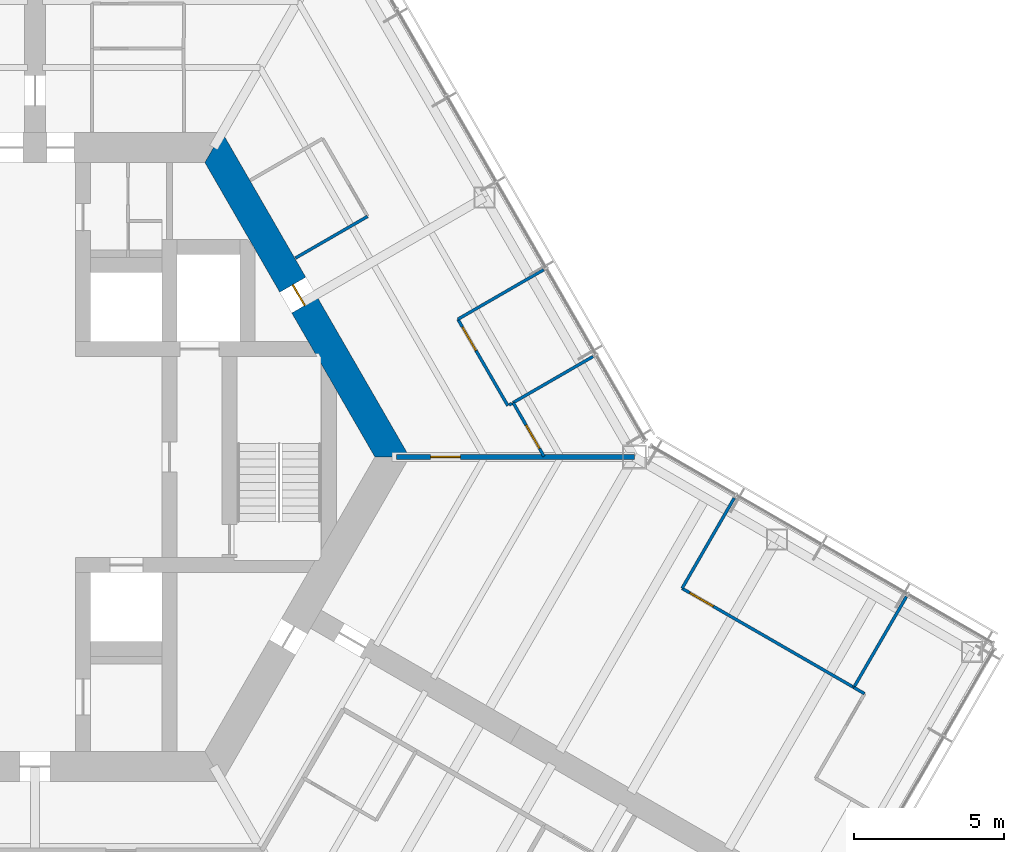
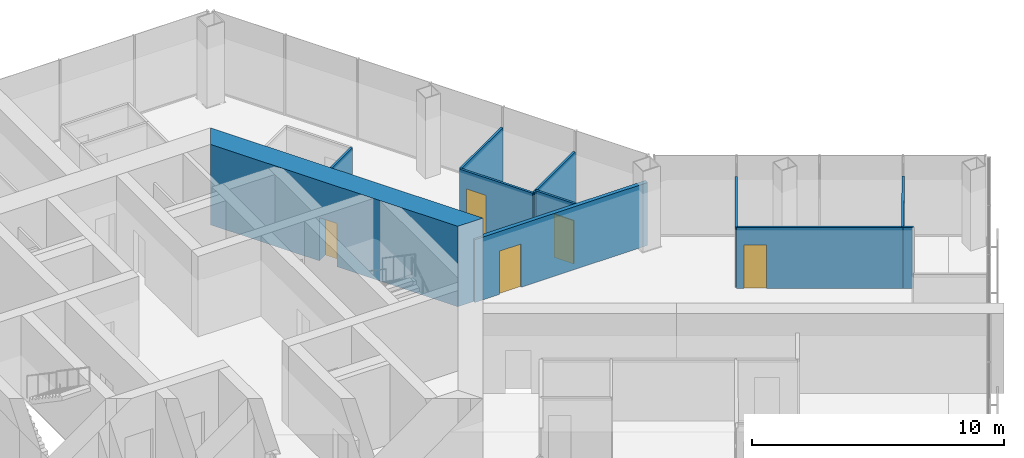
# One storey, part 14 of 18: 12 walls, 5 doors, 5 openings.
"""IFC4 building model written with IfcOpenShell, lengths in metres."""

from ifc_helpers import new_model, si_unit, direction, frame, frame_2d, origin, place, context, subcontext, project, spatial, polyline, rectangle, outline, extrude, material, layer, layer_set, type_object, element, fill, save


model = new_model("IFC4")

# Units and contexts
model_context = context("Model", 3, precision=1e-05, world=origin(), true_north=direction((0.0, 1.0)))
body_context = subcontext(model_context, "Body", "Model", "MODEL_VIEW")
ifc_project = project(units=[si_unit("LENGTHUNIT", "METRE"), si_unit("AREAUNIT", "SQUARE_METRE"), si_unit("VOLUMEUNIT", "CUBIC_METRE"), si_unit("PLANEANGLEUNIT", "RADIAN"), si_unit("MASSUNIT", "GRAM", prefix="KILO")], contexts=[model_context])

# Site, building, storey
site_placement = place(None, origin())
site = spatial("IfcSite", under=ifc_project, at=site_placement, CompositionType="ELEMENT")
building_placement = place(site_placement, origin())
building = spatial("IfcBuilding", under=site, at=building_placement, Name="Kasaneha Research Tower", CompositionType="ELEMENT")
storey_placement = place(building_placement, frame((0.0, 0.0, 137.0)))
storey = spatial("IfcBuildingStorey", under=building, at=storey_placement, Name="L34", CompositionType="ELEMENT", Elevation=137.0)

# Wall, opening, door
ifc_material_1 = material(Name="Concrete Fc70", Category="concrete")
ifc_layer_1 = layer(ifc_material_1, 1.0)
ifc_layer_set_1 = layer_set([ifc_layer_1], Name="Core wall 1000 Fc70")
wall_type_1 = type_object("IfcWallType", Name="Core wall 1000 Fc70", PredefinedType="SHEAR", material=ifc_layer_set_1)
wall_1_placement = place(storey_placement, frame((11.92236328125, 0.0, 0.0), z_axis=(0.0, 0.0, 1.0), x_axis=(-0.500004296715, 0.866022923061, 0.0)))
wall_1 = element("IfcWall", 1, at=wall_1_placement, inside=storey, type_object=wall_type_1, Name="Core wall 030 L34", PredefinedType="SHEAR", context=body_context, shape_type="SweptSolid", body=[
    extrude(outline(polyline([(-0.28857421875, -0.5), (5.83544921875, -0.5), (6.635498046875, -0.5), (12.2109375, -0.5), (11.6337890625, 0.5), (6.635498046875, 0.5), (5.83544921875, 0.5), (0.28857421875, 0.5), (-0.28857421875, -0.5)])), origin(), (0.0, 0.0, 1.0), 3.89990234375),
])
opening_1_placement = place(wall_1_placement, frame((5.83544921875, 0.0, 0.0)))
opening_1 = element("IfcOpeningElement", 2, at=opening_1_placement, cuts=wall_1, Name="Opening L34-D04", PredefinedType="OPENING", context=body_context, shape_type="SweptSolid", body=[
    extrude(rectangle(XDim=0.800048828125, YDim=2.10009765625, at=frame_2d((0.39990234375, 1.050048828125))), frame((0.0, 0.510009765625, 0.0), z_axis=(0.0, -1.0, 0.0), x_axis=(1.0, 0.0, 0.0)), (0.0, 0.0, 1.0), 1.02001953125),
])
ifc_material_2 = material(Name="Steel", Category="steel")
door_type_1 = type_object("IfcDoorType", Name="Riser access door FD60 800x2100", OperationType="NOTDEFINED", PredefinedType="DOOR", material=ifc_material_2)
door_1_placement = place(opening_1_placement, origin())
door_1 = element("IfcDoor", 3, at=door_1_placement, inside=storey, type_object=door_type_1, Name="Pipe riser door L34-D04", OperationType="SINGLE_SWING_RIGHT", OverallHeight=2.10009765625, OverallWidth=0.800048828125, PredefinedType="DOOR", context=body_context, shape_type="SweptSolid", body=[
    extrude(rectangle(XDim=0.800048828125, YDim=2.10009765625, at=frame_2d((0.39990234375, 1.050048828125))), frame((0.0, 0.02490234375, 0.0), z_axis=(0.0, -1.0, 0.0), x_axis=(1.0, 0.0, 0.0)), (0.0, 0.0, 1.0), 0.050048828125),
])
fill(opening_1, door_1)

# Walls
ifc_material_3 = material(Name="Gypsum board on steel studs, one layer each side", Category="steel")
ifc_layer_2 = layer(ifc_material_3, 0.10009765625)
ifc_layer_set_2 = layer_set([ifc_layer_2], Name="Office partition 100")
wall_type_2 = type_object("IfcWallType", Name="Office partition 100", PredefinedType="PARTITIONING", material=ifc_layer_set_2)
wall_2_placement = place(storey_placement, frame((11.099609375, 8.02490234375, 0.0), z_axis=(0.0, 0.0, 1.0), x_axis=(-0.866056901187, -0.49994544093, 0.0)))
element("IfcWall", 4, at=wall_2_placement, inside=storey, type_object=wall_type_2, Name="Office partition FAE09 L34", PredefinedType="PARTITIONING", context=body_context, shape_type="SweptSolid", body=[
    extrude(rectangle(XDim=2.780029296875, YDim=0.10009765625, at=frame_2d((1.39013671875, 0.0))), origin(), (0.0, 0.0, 1.0), 2.949951171875),
])
wall_3_placement = place(storey_placement, frame((18.619873046875, 3.3505859375, 0.0), z_axis=(0.0, 0.0, 1.0), x_axis=(-0.866043267704, -0.499969057507, 0.0)))
element("IfcWall", 5, at=wall_3_placement, inside=storey, type_object=wall_type_2, Name="Office partition FAE10 L34", PredefinedType="PARTITIONING", context=body_context, shape_type="SweptSolid", body=[
    extrude(rectangle(XDim=3.085205078125, YDim=0.10009765625, at=frame_2d((1.54248046875, 0.0))), origin(), (0.0, 0.0, 1.0), 2.949951171875),
])
wall_4_placement = place(storey_placement, frame((14.11376953125, 4.59521484375, 0.0), z_axis=(0.0, 0.0, 1.0), x_axis=(0.866020751647, 0.500008057651, 0.0)))
element("IfcWall", 6, at=wall_4_placement, inside=storey, type_object=wall_type_2, Name="Office partition FAE11 L34", PredefinedType="PARTITIONING", context=body_context, shape_type="SweptSolid", body=[
    extrude(rectangle(XDim=3.30517578125, YDim=0.10009765625, at=frame_2d((1.652587890625, 0.0))), origin(), (0.0, 0.0, 1.0), 2.949951171875),
])

# Wall, opening, door
wall_5_placement = place(storey_placement, frame((15.779296875, 1.71044921875, 0.0), z_axis=(0.0, 0.0, 1.0), x_axis=(-0.500001606164, 0.866024476463, 0.0)))
wall_5 = element("IfcWall", 7, at=wall_5_placement, inside=storey, type_object=wall_type_2, Name="Office partition FAE12 L34", PredefinedType="PARTITIONING", context=body_context, shape_type="SweptSolid", body=[
    extrude(rectangle(XDim=3.3310546875, YDim=0.10009765625, at=frame_2d((1.66552734375, 0.0))), origin(), (0.0, 0.0, 1.0), 2.949951171875),
])
opening_2_placement = place(wall_5_placement, frame((2.131103515625, 0.0, 0.0)))
opening_2 = element("IfcOpeningElement", 8, at=opening_2_placement, cuts=wall_5, Name="Opening L34-D30", PredefinedType="OPENING", context=body_context, shape_type="SweptSolid", body=[
    extrude(rectangle(XDim=0.89990234375, YDim=2.10009765625, at=frame_2d((0.449951171875, 1.050048828125))), frame((0.0, 0.06005859375, 0.0), z_axis=(0.0, -1.0, 0.0), x_axis=(1.0, 0.0, 0.0)), (0.0, 0.0, 1.0), 0.1201171875),
])
ifc_material_4 = material(Name="Timber veneer", Category="wood")
door_type_2 = type_object("IfcDoorType", Name="Office door 900x2100", OperationType="SINGLE_SWING_LEFT", PredefinedType="DOOR", material=ifc_material_4)
door_2_placement = place(opening_2_placement, origin())
door_2 = element("IfcDoor", 9, at=door_2_placement, inside=storey, type_object=door_type_2, Name="Reception room door L34-D30", OperationType="SINGLE_SWING_RIGHT", OverallHeight=2.10009765625, OverallWidth=0.89990234375, PredefinedType="DOOR", context=body_context, shape_type="SweptSolid", body=[
    extrude(rectangle(XDim=0.89990234375, YDim=2.10009765625, at=frame_2d((0.449951171875, 1.050048828125))), frame((0.0, 0.02490234375, 0.0), z_axis=(0.0, -1.0, 0.0), x_axis=(1.0, 0.0, 0.0)), (0.0, 0.0, 1.0), 0.050048828125),
])
fill(opening_2, door_2)

wall_6_placement = place(storey_placement, frame((16.986083984375, 0.02001953125, 0.0), z_axis=(0.0, 0.0, 1.0), x_axis=(-0.498096123952, 0.867121820337, 0.0)))
wall_6 = element("IfcWall", 10, at=wall_6_placement, inside=storey, type_object=wall_type_2, Name="Office partition FAE13 L34", PredefinedType="PARTITIONING", context=body_context, shape_type="SweptSolid", body=[
    extrude(rectangle(XDim=2.0673828125, YDim=0.10009765625, at=frame_2d((1.03369140625, 0.0))), origin(), (0.0, 0.0, 1.0), 2.949951171875),
])
opening_3_placement = place(wall_6_placement, frame((0.300048828125, 0.0, 0.0)))
opening_3 = element("IfcOpeningElement", 11, at=opening_3_placement, cuts=wall_6, Name="Opening L34-D31", PredefinedType="OPENING", context=body_context, shape_type="SweptSolid", body=[
    extrude(rectangle(XDim=0.89990234375, YDim=2.10009765625, at=frame_2d((0.449951171875, 1.050048828125))), frame((0.0, 0.06005859375, 0.0), z_axis=(0.0, -1.0, 0.0), x_axis=(1.0, 0.0, 0.0)), (0.0, 0.0, 1.0), 0.1201171875),
])
door_3_placement = place(opening_3_placement, origin())
door_3 = element("IfcDoor", 12, at=door_3_placement, inside=storey, type_object=door_type_2, Name="Project room door L34-D31", OperationType="SINGLE_SWING_LEFT", OverallHeight=2.10009765625, OverallWidth=0.89990234375, PredefinedType="DOOR", context=body_context, shape_type="SweptSolid", body=[
    extrude(rectangle(XDim=0.89990234375, YDim=2.10009765625, at=frame_2d((0.449951171875, 1.050048828125))), frame((0.0, 0.02490234375, 0.0), z_axis=(0.0, -1.0, 0.0), x_axis=(1.0, 0.0, 0.0)), (0.0, 0.0, 1.0), 0.050048828125),
])
fill(opening_3, door_3)

# Walls
wall_7_placement = place(storey_placement, frame((29.077392578125, -4.65771484375, 0.0), z_axis=(0.0, 0.0, 1.0), x_axis=(-0.501313567819, -0.865265685625, 0.0)))
element("IfcWall", 13, at=wall_7_placement, inside=storey, type_object=wall_type_2, Name="Office partition FCE01 L34", PredefinedType="PARTITIONING", context=body_context, shape_type="SweptSolid", body=[
    extrude(rectangle(XDim=3.5048828125, YDim=0.10009765625, at=frame_2d((1.75244140625, 0.0))), origin(), (0.0, 0.0, 1.0), 2.949951171875),
])
wall_8_placement = place(storey_placement, frame((21.59228515625, -4.38330078125, 0.0), z_axis=(0.0, 0.0, 1.0), x_axis=(0.500009906705, 0.86601968407, 0.0)))
element("IfcWall", 14, at=wall_8_placement, inside=storey, type_object=wall_type_2, Name="Office partition FCE02 L34", PredefinedType="PARTITIONING", context=body_context, shape_type="SweptSolid", body=[
    extrude(rectangle(XDim=3.47998046875, YDim=0.10009765625, at=frame_2d((1.739990234375, 0.0))), origin(), (0.0, 0.0, 1.0), 2.949951171875),
])

# Wall, opening, door
wall_9_placement = place(storey_placement, frame((27.326904296875, -7.689697265625, 0.0), z_axis=(0.0, 0.0, 1.0), x_axis=(-0.866318796728, 0.499491483847, 0.0)))
wall_9 = element("IfcWall", 15, at=wall_9_placement, inside=storey, type_object=wall_type_2, Name="Office partition FCE03 L34", PredefinedType="PARTITIONING", context=body_context, shape_type="SweptSolid", body=[
    extrude(rectangle(XDim=6.61962890625, YDim=0.10009765625, at=frame_2d((3.309814453125, 0.0))), origin(), (0.0, 0.0, 1.0), 2.949951171875),
])
opening_4_placement = place(wall_9_placement, frame((5.419677734375, 0.0, 0.0)))
opening_4 = element("IfcOpeningElement", 16, at=opening_4_placement, cuts=wall_9, Name="Opening L34-D43", PredefinedType="OPENING", context=body_context, shape_type="SweptSolid", body=[
    extrude(rectangle(XDim=0.89990234375, YDim=2.10009765625, at=frame_2d((0.449951171875, 1.050048828125))), frame((0.0, 0.06005859375, 0.0), z_axis=(0.0, -1.0, 0.0), x_axis=(1.0, 0.0, 0.0)), (0.0, 0.0, 1.0), 0.1201171875),
])
door_4_placement = place(opening_4_placement, origin())
door_4 = element("IfcDoor", 17, at=door_4_placement, inside=storey, type_object=door_type_2, Name="Reading room door L34-D43", OperationType="SINGLE_SWING_RIGHT", OverallHeight=2.10009765625, OverallWidth=0.89990234375, PredefinedType="DOOR", context=body_context, shape_type="SweptSolid", body=[
    extrude(rectangle(XDim=0.89990234375, YDim=2.10009765625, at=frame_2d((0.449951171875, 1.050048828125))), frame((0.0, 0.02490234375, 0.0), z_axis=(0.0, -1.0, 0.0), x_axis=(1.0, 0.0, 0.0)), (0.0, 0.0, 1.0), 0.050048828125),
])
fill(opening_4, door_4)

# Walls
wall_10_placement = place(storey_placement, frame((27.678466796875, -7.8984375, 0.0), z_axis=(0.0, 0.0, 1.0), x_axis=(-0.859748322004, 0.510717948394, 0.0)))
element("IfcWall", 18, at=wall_10_placement, inside=storey, type_object=wall_type_2, Name="Office partition FCE05 L34", PredefinedType="PARTITIONING", context=body_context, shape_type="SweptSolid", body=[
    extrude(rectangle(XDim=0.4091796875, YDim=0.10009765625, at=frame_2d((0.20458984375, 0.0))), origin(), (0.0, 0.0, 1.0), 2.949951171875),
])
wall_11_placement = place(storey_placement, frame((15.82275390625, 1.7353515625, 0.0), z_axis=(0.0, 0.0, 1.0), x_axis=(0.867234405398, 0.497900076415, 0.0)))
element("IfcWall", 19, at=wall_11_placement, inside=storey, type_object=wall_type_2, Name="Office partition closer PT5 L34", PredefinedType="PARTITIONING", context=body_context, shape_type="SweptSolid", body=[
    extrude(rectangle(XDim=0.1044921875, YDim=0.10009765625, at=frame_2d((0.05224609375, 0.0))), origin(), (0.0, 0.0, 1.0), 2.949951171875),
])

# Wall, opening, door
ifc_material_5 = material(Name="Gypsum board on steel studs, two layers each side", Category="steel")
ifc_layer_3 = layer(ifc_material_5, 0.175048828125)
ifc_layer_set_3 = layer_set([ifc_layer_3], Name="Tenancy fire partition 175")
wall_type_3 = type_object("IfcWallType", Name="Tenancy fire partition 175", PredefinedType="PARTITIONING", material=ifc_layer_set_3)
wall_12_placement = place(storey_placement, frame((12.069580078125, 0.0, 0.0), z_axis=(0.0, 0.0, 1.0), x_axis=(1.0, 0.0, 0.0)))
wall_12 = element("IfcWall", 20, at=wall_12_placement, inside=storey, type_object=wall_type_3, Name="Tenancy fire partition T000 L34", PredefinedType="PARTITIONING", context=body_context, shape_type="SweptSolid", body=[
    extrude(rectangle(XDim=7.930419921875, YDim=0.175048828125, at=frame_2d((3.96533203125, 0.0))), origin(), (0.0, 0.0, 1.0), 3.050048828125),
])
opening_5_placement = place(wall_12_placement, frame((1.1298828125, 0.0, 0.0)))
opening_5 = element("IfcOpeningElement", 21, at=opening_5_placement, cuts=wall_12, Name="Opening L34-D24", PredefinedType="OPENING", context=body_context, shape_type="SweptSolid", body=[
    extrude(rectangle(XDim=1.0, YDim=2.10009765625, at=frame_2d((0.5, 1.050048828125))), frame((0.0, 0.09765625, 0.0), z_axis=(0.0, -1.0, 0.0), x_axis=(1.0, 0.0, 0.0)), (0.0, 0.0, 1.0), 0.195068359375),
])
ifc_material_6 = material(Name="Steel", Category="steel")
door_type_3 = type_object("IfcDoorType", Name="Suite entrance door FD60 1000x2100", OperationType="NOTDEFINED", PredefinedType="DOOR", material=ifc_material_6)
door_5_placement = place(opening_5_placement, origin())
door_5 = element("IfcDoor", 22, at=door_5_placement, inside=storey, type_object=door_type_3, Name="Connecting door L34-D24", OperationType="SINGLE_SWING_LEFT", OverallHeight=2.10009765625, OverallWidth=1.0, PredefinedType="DOOR", context=body_context, shape_type="SweptSolid", body=[
    extrude(rectangle(XDim=1.0, YDim=2.10009765625, at=frame_2d((0.5, 1.050048828125))), frame((0.0, 0.02490234375, 0.0), z_axis=(0.0, -1.0, 0.0), x_axis=(1.0, 0.0, 0.0)), (0.0, 0.0, 1.0), 0.050048828125),
])
fill(opening_5, door_5)

save(model, "model.ifc")
